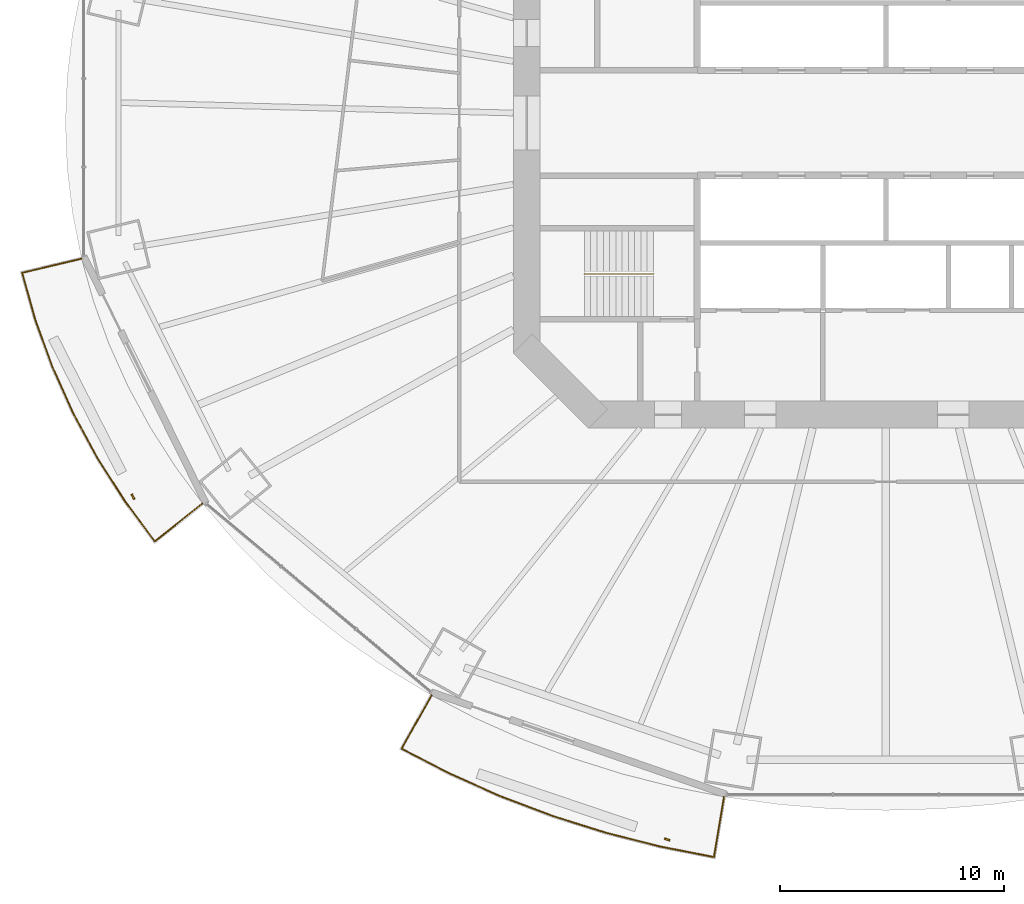
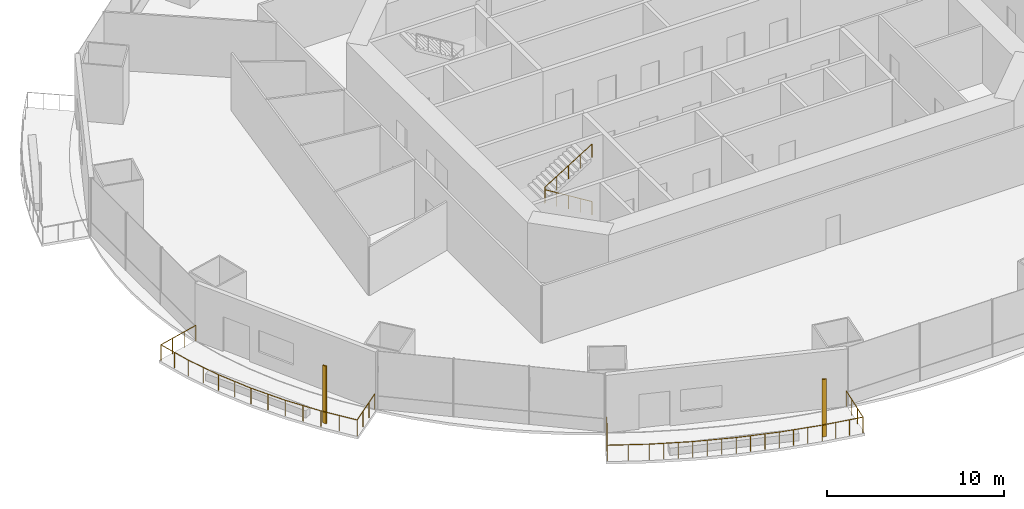
# One storey, part 18 of 23: 3 railings, 2 shading devices.
"""IFC4 building model written with IfcOpenShell, lengths in metres."""

import ifcopenshell
import ifcopenshell.guid

model = None  # the IFC model being written
_history = None  # IfcOwnerHistory: only IFC2X3 demands one
_inside = {}  # id of a spatial element -> (the spatial element, [elements in it])
_under = {}  # id of a project, library or spatial element -> (it, [spatial elements below it])
_declared = {}  # id of a project -> (the project, [libraries it declares])
_typed = {}  # id of a type object -> (the type object, [elements of that type])
_made_of = {}  # id of a material, layer set ... -> (it, [elements and type objects made of it])


def new_model(schema):
    """Start an empty IFC model of exactly this schema.

    Asked for "IFC4X3", IfcOpenShell would pick the latest addendum, in which some entities
    have other attributes; the version numbers below select the first issue.
    IFC2X3 requires an IfcOwnerHistory on every rooted entity: one is made here for all.
    """
    global model, _history
    if schema == "IFC4X3":
        model = ifcopenshell.file(schema_version=(4, 3, 0, 0))
    else:
        model = ifcopenshell.file(schema=schema)
    _inside.clear()
    _under.clear()
    _declared.clear()
    _typed.clear()
    _made_of.clear()
    _history = None
    if model.schema == "IFC2X3":
        org = make("IfcOrganization", Name="unknown")
        user = make(
            "IfcPersonAndOrganization",
            ThePerson=make("IfcPerson", FamilyName="unknown"),
            TheOrganization=org,
        )
        app = make(
            "IfcApplication",
            ApplicationDeveloper=org,
            Version="unknown",
            ApplicationFullName="unknown",
            ApplicationIdentifier="unknown",
        )
        _history = make(
            "IfcOwnerHistory",
            OwningUser=user,
            OwningApplication=app,
            ChangeAction="ADDED",
            CreationDate=0,
        )
    return model


def make(cls, **values):
    """One entity of the class cls with the attributes given. An attribute that is None is left unset."""
    return model.create_entity(
        cls, **{name: value for name, value in values.items() if value is not None}
    )


def rooted(cls, **values):
    """An entity with a GlobalId (a new one), such as an element, a storey or a relation."""
    return make(cls, GlobalId=ifcopenshell.guid.new(), OwnerHistory=_history, **values)


def si_unit(unit_type, name, prefix=None):
    """IfcSIUnit, for example si_unit("LENGTHUNIT", "METRE", prefix="MILLI")."""
    return make("IfcSIUnit", UnitType=unit_type, Prefix=prefix, Name=name)


def assignment(units):
    """IfcUnitAssignment: the units of a project."""
    return None if units is None else make("IfcUnitAssignment", Units=units)


def point(xyz):
    """IfcCartesianPoint."""
    return None if xyz is None else make("IfcCartesianPoint", Coordinates=xyz)


def direction(xyz):
    """IfcDirection."""
    return None if xyz is None else make("IfcDirection", DirectionRatios=xyz)


def frame(location, z_axis=None, x_axis=None):
    """IfcAxis2Placement3D, a coordinate frame: its origin and axes. An axis left out is left unset."""
    return make(
        "IfcAxis2Placement3D",
        Location=point(location),
        Axis=direction(z_axis),
        RefDirection=direction(x_axis),
    )


def frame_2d(location, x_axis=None):
    """IfcAxis2Placement2D, a coordinate frame in the plane: its origin and x axis."""
    return make(
        "IfcAxis2Placement2D", Location=point(location), RefDirection=direction(x_axis)
    )


def origin():
    """The frame at (0, 0, 0) with its axes left unset."""
    return frame((0.0, 0.0, 0.0))


def origin_2d():
    """The frame at (0, 0) in the plane with its x axis left unset."""
    return frame_2d((0.0, 0.0))


def place(relative_to, where):
    """IfcLocalPlacement: puts the frame where relative to a parent placement (None: the world)."""
    return make(
        "IfcLocalPlacement", PlacementRelTo=relative_to, RelativePlacement=where
    )


def context(
    kind, dimensions, precision=None, world=None, true_north=None, identifier=None
):
    """IfcGeometricRepresentationContext, for example the 3D "Model" context."""
    return make(
        "IfcGeometricRepresentationContext",
        ContextIdentifier=identifier,
        ContextType=kind,
        CoordinateSpaceDimension=dimensions,
        Precision=precision,
        WorldCoordinateSystem=world,
        TrueNorth=true_north,
    )


def subcontext(parent, identifier, kind, view, scale=None):
    """IfcGeometricRepresentationSubContext, for example "Body" below "Model"."""
    return make(
        "IfcGeometricRepresentationSubContext",
        ContextIdentifier=identifier,
        ContextType=kind,
        ParentContext=parent,
        TargetScale=scale,
        TargetView=view,
    )


def project(units=None, contexts=None):
    """IfcProject with its units and contexts."""
    return rooted(
        "IfcProject",
        Name="project",
        RepresentationContexts=contexts,
        UnitsInContext=assignment(units),
    )


def spatial(cls, under=None, at=None, **own):
    """A site, building, storey or space (cls), placed at a placement, below another one or the project."""
    s = rooted(cls, ObjectPlacement=at, **own)
    if under is not None:
        _under.setdefault(under.id(), (under, []))[1].append(s)
    return s


def profile(cls, at=None, kind="AREA", **sizes):
    """A parametric profile (cls). Its sizes go by their IFC names, for example OverallWidth=200.0."""
    return make(cls, ProfileType=kind, Position=at, **sizes)


def rectangle(**sizes):
    """IfcRectangleProfileDef."""
    return profile("IfcRectangleProfileDef", **sizes)


def circle(**sizes):
    """IfcCircleProfileDef."""
    return profile("IfcCircleProfileDef", **sizes)


def extrude(swept, where, along, depth):
    """IfcExtrudedAreaSolid: the profile swept, set in the frame where, extruded along a direction by depth."""
    return make(
        "IfcExtrudedAreaSolid",
        SweptArea=swept,
        Position=where,
        ExtrudedDirection=direction(along),
        Depth=depth,
    )


def shape(context_of_items, identifier, shape_type, items):
    """IfcShapeRepresentation: the items that make up one representation, for example the "Body"."""
    return make(
        "IfcShapeRepresentation",
        ContextOfItems=context_of_items,
        RepresentationIdentifier=identifier,
        RepresentationType=shape_type,
        Items=items,
    )


def material(Name=None, Category=None):
    """IfcMaterial."""
    return make("IfcMaterial", Name=Name, Category=Category)


def material_profile(
    of_material, cross_section, Name=None, Category=None, Priority=None
):
    """IfcMaterialProfile: a cross section and its material."""
    return make(
        "IfcMaterialProfile",
        Name=Name,
        Material=of_material,
        Profile=cross_section,
        Priority=Priority,
        Category=Category,
    )


def profile_set(profiles, Name=None, composite=None):
    """IfcMaterialProfileSet."""
    return make(
        "IfcMaterialProfileSet",
        Name=Name,
        MaterialProfiles=profiles,
        CompositeProfile=composite,
    )


def made_of(thing, what):
    """Note that an element or type object is made of a material, layer set ...; save() writes the relation."""
    if what is not None:
        _made_of.setdefault(what.id(), (what, []))[1].append(thing)
    return thing


def type_object(cls, material=None, **own):
    """A type object (cls), such as IfcWallType, which elements share."""
    return made_of(rooted(cls, **own), material)


def element(
    cls,
    number,
    at=None,
    inside=None,
    cuts=None,
    type_object=None,
    material=None,
    context=None,
    identifier="Body",
    shape_type=None,
    held_by="IfcProductDefinitionShape",
    body=None,
    shapes=None,
    **own,
):
    """One element of the class cls, such as IfcWall. Its Tag is "e" and its number.

    at: its placement. inside: the storey or other place that contains it. cuts: it is an
    opening in that element (IfcRelVoidsElement). A single representation is given by context,
    identifier, shape_type and body (its items); several are given by shapes. held_by: the class
    of the entity that holds the representations. save() writes the other relations.
    """
    e = rooted(cls, Tag="e%d" % number, ObjectPlacement=at, **own)
    if body is not None:
        shapes = [shape(context, identifier, shape_type, body)]
    if shapes is not None:
        e.Representation = make(held_by, Representations=shapes)
    if inside is not None:
        _inside.setdefault(inside.id(), (inside, []))[1].append(e)
    if cuts is not None:
        rooted(
            "IfcRelVoidsElement", RelatingBuildingElement=cuts, RelatedOpeningElement=e
        )
    if type_object is not None:
        _typed.setdefault(type_object.id(), (type_object, []))[1].append(e)
    return made_of(e, material)


def aggregate(whole, parts):
    """IfcRelAggregates: a whole, such as a stair, and the parts it consists of."""
    return rooted("IfcRelAggregates", RelatingObject=whole, RelatedObjects=parts)


def save(model, path):
    """Write the relations noted so far, then the file.

    IfcRelAggregates (storeys below a building ...), IfcRelContainedInSpatialStructure (elements
    in a storey), IfcRelDefinesByType, IfcRelAssociatesMaterial and IfcRelDeclares: one each for
    every whole, place, type object, material and project.
    """
    for whole, parts in _under.values():
        aggregate(whole, parts)
    for where, things in _inside.values():
        rooted(
            "IfcRelContainedInSpatialStructure",
            RelatedElements=things,
            RelatingStructure=where,
        )
    for kind, things in _typed.values():
        rooted("IfcRelDefinesByType", RelatedObjects=things, RelatingType=kind)
    for what, things in _made_of.values():
        rooted("IfcRelAssociatesMaterial", RelatedObjects=things, RelatingMaterial=what)
    for by, libraries in _declared.values():
        rooted("IfcRelDeclares", RelatingContext=by, RelatedDefinitions=libraries)
    model.write(path)


model = new_model("IFC4")

# Units and contexts
model_context = context("Model", 3, precision=1e-05, world=origin(), true_north=direction((0.0, 1.0)))
body_context = subcontext(model_context, "Body", "Model", "MODEL_VIEW")
ifc_project = project(units=[si_unit("LENGTHUNIT", "METRE"), si_unit("AREAUNIT", "SQUARE_METRE"), si_unit("VOLUMEUNIT", "CUBIC_METRE"), si_unit("PLANEANGLEUNIT", "RADIAN"), si_unit("MASSUNIT", "GRAM", prefix="KILO")], contexts=[model_context])

# Site, building, storey
site_placement = place(None, origin())
site = spatial("IfcSite", under=ifc_project, at=site_placement, CompositionType="ELEMENT")
building_placement = place(site_placement, origin())
building = spatial("IfcBuilding", under=site, at=building_placement, Name="Marenthal Gate Tower", CompositionType="ELEMENT")
storey_placement = place(building_placement, frame((0.0, 0.0, 53.75)))
storey = spatial("IfcBuildingStorey", under=building, at=storey_placement, Name="L09", CompositionType="ELEMENT", Elevation=53.75)

# Railings
ifc_material_1 = material(Name="Stainless steel", Category="steel")
railing_type_1 = type_object("IfcRailingType", Name="Balcony guard 1100", PredefinedType="GUARDRAIL", material=ifc_material_1)
railing_1_placement = place(storey_placement, frame((-30.44677734375, -16.957275390625, 0.0)))
element("IfcRailing", 1, at=railing_1_placement, inside=storey, type_object=railing_type_1, Name="Balcony guard L09 bay 9", PredefinedType="GUARDRAIL", context=body_context, shape_type="SweptSolid", body=[
    extrude(circle(Radius=0.02392578125, at=origin_2d()), frame((0.0, 0.0, 1.076171875), z_axis=(-0.782017214913, -0.623083029968, -0.014717790136), x_axis=(0.623150524983, -0.782101926358, 0.0)), (0.0, 0.0, 1.0), 2.720458984375),
    extrude(circle(Radius=0.02392578125, at=origin_2d()), frame((-2.12744140625, -1.695068359375, 1.0361328125), z_axis=(-0.594837345743, 0.803846087326, 0.0), x_axis=(-0.803846087326, -0.594837345743, 0.0)), (0.0, 0.0, 1.0), 2.22998046875),
    extrude(circle(Radius=0.02392578125, at=origin_2d()), frame((-3.453857421875, 0.097412109375, 1.0361328125), z_axis=(-0.537716445458, 0.843125746425, 0.0), x_axis=(-0.843125746425, -0.537716445458, 0.0)), (0.0, 0.0, 1.0), 2.291015625),
    extrude(circle(Radius=0.02392578125, at=origin_2d()), frame((-4.685791015625, 2.029052734375, 1.0361328125), z_axis=(-0.475629312141, 0.879645813628, 0.0), x_axis=(-0.879645813628, -0.475629312141, 0.0)), (0.0, 0.0, 1.0), 2.27392578125),
    extrude(circle(Radius=0.02392578125, at=origin_2d()), frame((-5.767333984375, 4.029296875, 1.0361328125), z_axis=(-0.409595910935, 0.912267060539, 0.0), x_axis=(-0.912267060539, -0.409595910935, 0.0)), (0.0, 0.0, 1.0), 2.258544921875),
    extrude(circle(Radius=0.02392578125, at=origin_2d()), frame((-6.6923828125, 6.089599609375, 1.0361328125), z_axis=(-0.340363176703, 0.940294053977, 0.0), x_axis=(-0.940294053977, -0.340363176703, 0.0)), (0.0, 0.0, 1.0), 2.2451171875),
    extrude(circle(Radius=0.02392578125, at=origin_2d()), frame((-7.45654296875, 8.20068359375, 1.0361328125), z_axis=(-0.269402906993, 0.963027556046, 0.0), x_axis=(-0.963027556046, -0.269402906993, 0.0)), (0.0, 0.0, 1.0), 2.154052734375),
    extrude(circle(Radius=0.02392578125, at=origin_2d()), frame((-8.036865234375, 10.275146484375, 1.0361328125), z_axis=(0.972906523904, 0.230729884047, 0.014717892254), x_axis=(-0.230754878041, 0.973011914758, 0.0)), (0.0, 0.0, 1.0), 2.720458984375),
    extrude(circle(Radius=0.02099609375, at=origin_2d()), origin(), (0.0, 0.0, 1.0), 1.052001953125),
    extrude(circle(Radius=0.02099609375, at=origin_2d()), frame((-0.709228515625, -0.56494140625, -0.013427734375)), (0.0, 0.0, 1.0), 1.052001953125),
    extrude(circle(Radius=0.02099609375, at=origin_2d()), frame((-1.418212890625, -1.130126953125, -0.026611328125)), (0.0, 0.0, 1.0), 1.052001953125),
    extrude(circle(Radius=0.02099609375, at=origin_2d()), frame((-2.12744140625, -1.695068359375, -0.0400390625)), (0.0, 0.0, 1.0), 1.052001953125),
    extrude(circle(Radius=0.02099609375, at=origin_2d()), frame((-2.79052734375, -0.798828125, -0.0400390625)), (0.0, 0.0, 1.0), 1.052001953125),
    extrude(circle(Radius=0.02099609375, at=origin_2d()), frame((-3.453857421875, 0.097412109375, -0.0400390625)), (0.0, 0.0, 1.0), 1.052001953125),
    extrude(circle(Radius=0.02099609375, at=origin_2d()), frame((-4.06982421875, 1.063232421875, -0.0400390625)), (0.0, 0.0, 1.0), 1.052001953125),
    extrude(circle(Radius=0.02099609375, at=origin_2d()), frame((-4.685791015625, 2.029052734375, -0.0400390625)), (0.0, 0.0, 1.0), 1.052001953125),
    extrude(circle(Radius=0.02099609375, at=origin_2d()), frame((-5.2265625, 3.029296875, -0.0400390625)), (0.0, 0.0, 1.0), 1.052001953125),
    extrude(circle(Radius=0.02099609375, at=origin_2d()), frame((-5.767333984375, 4.029296875, -0.0400390625)), (0.0, 0.0, 1.0), 1.052001953125),
    extrude(circle(Radius=0.02099609375, at=origin_2d()), frame((-6.22998046875, 5.0595703125, -0.0400390625)), (0.0, 0.0, 1.0), 1.052001953125),
    extrude(circle(Radius=0.02099609375, at=origin_2d()), frame((-6.6923828125, 6.089599609375, -0.0400390625)), (0.0, 0.0, 1.0), 1.052001953125),
    extrude(circle(Radius=0.02099609375, at=origin_2d()), frame((-7.074462890625, 7.14501953125, -0.0400390625)), (0.0, 0.0, 1.0), 1.052001953125),
    extrude(circle(Radius=0.02099609375, at=origin_2d()), frame((-7.45654296875, 8.20068359375, -0.0400390625)), (0.0, 0.0, 1.0), 1.052001953125),
    extrude(circle(Radius=0.02099609375, at=origin_2d()), frame((-7.74658203125, 9.23779296875, -0.0400390625)), (0.0, 0.0, 1.0), 1.052001953125),
    extrude(circle(Radius=0.02099609375, at=origin_2d()), frame((-8.036865234375, 10.275146484375, -0.0400390625)), (0.0, 0.0, 1.0), 1.052001953125),
    extrude(circle(Radius=0.02099609375, at=origin_2d()), frame((-7.154541015625, 10.484375, -0.026611328125)), (0.0, 0.0, 1.0), 1.052001953125),
    extrude(circle(Radius=0.02099609375, at=origin_2d()), frame((-6.2724609375, 10.693603515625, -0.013427734375)), (0.0, 0.0, 1.0), 1.052001953125),
    extrude(circle(Radius=0.02099609375, at=origin_2d()), frame((-5.39013671875, 10.90283203125, 0.0)), (0.0, 0.0, 1.0), 1.052001953125),
])
railing_2_placement = place(storey_placement, frame((-7.2109375, -30.033203125, 0.0)))
element("IfcRailing", 2, at=railing_2_placement, inside=storey, type_object=railing_type_1, Name="Balcony guard L09 bay 11", PredefinedType="GUARDRAIL", context=body_context, shape_type="SweptSolid", body=[
    extrude(circle(Radius=0.02392578125, at=origin_2d()), frame((0.0, 0.0, 1.076171875), z_axis=(-0.164512163182, -0.986265227064, -0.014719036968), x_axis=(0.986372081632, -0.164529986862, 0.0)), (0.0, 0.0, 1.0), 2.72021484375),
    extrude(circle(Radius=0.02392578125, at=origin_2d()), frame((-0.447509765625, -2.682861328125, 1.0361328125), z_axis=(-0.981261967917, 0.19267835976, 0.0), x_axis=(-0.19267835976, -0.981261967917, 0.0)), (0.0, 0.0, 1.0), 2.445556640625),
    extrude(circle(Radius=0.02392578125, at=origin_2d()), frame((-2.84716796875, -2.211669921875, 1.0361328125), z_axis=(-0.969181494284, 0.246347784927, 0.0), x_axis=(-0.246347784927, -0.969181494284, 0.0)), (0.0, 0.0, 1.0), 2.515380859375),
    extrude(circle(Radius=0.02392578125, at=origin_2d()), frame((-5.284912109375, -1.592041015625, 1.0361328125), z_axis=(-0.953671084495, 0.30085123001, 0.0), x_axis=(-0.30085123001, -0.953671084495, 0.0)), (0.0, 0.0, 1.0), 2.502685546875),
    extrude(circle(Radius=0.02392578125, at=origin_2d()), frame((-7.671630859375, -0.839111328125, 1.0361328125), z_axis=(-0.934902124895, 0.354905645019, 0.0), x_axis=(-0.354905645019, -0.934902124895, 0.0)), (0.0, 0.0, 1.0), 2.488037109375),
    extrude(circle(Radius=0.02392578125, at=origin_2d()), frame((-9.997802734375, 0.0439453125, 1.0361328125), z_axis=(-0.912605925031, 0.408840342429, 0.0), x_axis=(-0.408840342429, -0.912605925031, 0.0)), (0.0, 0.0, 1.0), 2.4716796875),
    extrude(circle(Radius=0.02392578125, at=origin_2d()), frame((-12.25341796875, 1.054443359375, 1.0361328125), z_axis=(-0.887280789471, 0.461229661487, 0.0), x_axis=(-0.461229661487, -0.887280789471, 0.0)), (0.0, 0.0, 1.0), 2.37353515625),
    extrude(circle(Radius=0.02392578125, at=origin_2d()), frame((-14.359375, 2.149169921875, 1.0361328125), z_axis=(0.488779989422, 0.872282908041, 0.014719044852), x_axis=(-0.872377413566, 0.488832945188, 0.0)), (0.0, 0.0, 1.0), 2.72021484375),
    extrude(circle(Radius=0.02099609375, at=origin_2d()), origin(), (0.0, 0.0, 1.0), 1.052001953125),
    extrude(circle(Radius=0.02099609375, at=origin_2d()), frame((-0.149169921875, -0.894287109375, -0.013427734375)), (0.0, 0.0, 1.0), 1.052001953125),
    extrude(circle(Radius=0.02099609375, at=origin_2d()), frame((-0.29833984375, -1.78857421875, -0.026611328125)), (0.0, 0.0, 1.0), 1.052001953125),
    extrude(circle(Radius=0.02099609375, at=origin_2d()), frame((-0.447509765625, -2.682861328125, -0.0400390625)), (0.0, 0.0, 1.0), 1.052001953125),
    extrude(circle(Radius=0.02099609375, at=origin_2d()), frame((-1.247314453125, -2.52587890625, -0.0400390625)), (0.0, 0.0, 1.0), 1.052001953125),
    extrude(circle(Radius=0.02099609375, at=origin_2d()), frame((-2.04736328125, -2.36865234375, -0.0400390625)), (0.0, 0.0, 1.0), 1.052001953125),
    extrude(circle(Radius=0.02099609375, at=origin_2d()), frame((-2.84716796875, -2.211669921875, -0.0400390625)), (0.0, 0.0, 1.0), 1.052001953125),
    extrude(circle(Radius=0.02099609375, at=origin_2d()), frame((-3.65966796875, -2.005126953125, -0.0400390625)), (0.0, 0.0, 1.0), 1.052001953125),
    extrude(circle(Radius=0.02099609375, at=origin_2d()), frame((-4.472412109375, -1.798583984375, -0.0400390625)), (0.0, 0.0, 1.0), 1.052001953125),
    extrude(circle(Radius=0.02099609375, at=origin_2d()), frame((-5.284912109375, -1.592041015625, -0.0400390625)), (0.0, 0.0, 1.0), 1.052001953125),
    extrude(circle(Radius=0.02099609375, at=origin_2d()), frame((-6.08056640625, -1.341064453125, -0.0400390625)), (0.0, 0.0, 1.0), 1.052001953125),
    extrude(circle(Radius=0.02099609375, at=origin_2d()), frame((-6.8759765625, -1.090087890625, -0.0400390625)), (0.0, 0.0, 1.0), 1.052001953125),
    extrude(circle(Radius=0.02099609375, at=origin_2d()), frame((-7.671630859375, -0.839111328125, -0.0400390625)), (0.0, 0.0, 1.0), 1.052001953125),
    extrude(circle(Radius=0.02099609375, at=origin_2d()), frame((-8.447021484375, -0.544677734375, -0.0400390625)), (0.0, 0.0, 1.0), 1.052001953125),
    extrude(circle(Radius=0.02099609375, at=origin_2d()), frame((-9.222412109375, -0.25048828125, -0.0400390625)), (0.0, 0.0, 1.0), 1.052001953125),
    extrude(circle(Radius=0.02099609375, at=origin_2d()), frame((-9.997802734375, 0.0439453125, -0.0400390625)), (0.0, 0.0, 1.0), 1.052001953125),
    extrude(circle(Radius=0.02099609375, at=origin_2d()), frame((-10.749755859375, 0.380859375, -0.0400390625)), (0.0, 0.0, 1.0), 1.052001953125),
    extrude(circle(Radius=0.02099609375, at=origin_2d()), frame((-11.50146484375, 0.717529296875, -0.0400390625)), (0.0, 0.0, 1.0), 1.052001953125),
    extrude(circle(Radius=0.02099609375, at=origin_2d()), frame((-12.25341796875, 1.054443359375, -0.0400390625)), (0.0, 0.0, 1.0), 1.052001953125),
    extrude(circle(Radius=0.02099609375, at=origin_2d()), frame((-13.306396484375, 1.601806640625, -0.0400390625)), (0.0, 0.0, 1.0), 1.052001953125),
    extrude(circle(Radius=0.02099609375, at=origin_2d()), frame((-14.359375, 2.149169921875, -0.0400390625)), (0.0, 0.0, 1.0), 1.052001953125),
    extrude(circle(Radius=0.02099609375, at=origin_2d()), frame((-13.916259765625, 2.940185546875, -0.026611328125)), (0.0, 0.0, 1.0), 1.052001953125),
    extrude(circle(Radius=0.02099609375, at=origin_2d()), frame((-13.472900390625, 3.73095703125, -0.013427734375)), (0.0, 0.0, 1.0), 1.052001953125),
    extrude(circle(Radius=0.02099609375, at=origin_2d()), frame((-13.02978515625, 4.52197265625, 0.0)), (0.0, 0.0, 1.0), 1.052001953125),
])
ifc_material_2 = material(Name="Stainless steel", Category="steel")
railing_type_2 = type_object("IfcRailingType", Name="Stair handrail", PredefinedType="HANDRAIL", material=ifc_material_2)
railing_3_placement = place(storey_placement, frame((-10.35009765625, -6.72509765625, 0.1728515625)))
element("IfcRailing", 3, at=railing_3_placement, inside=storey, type_object=railing_type_2, Name="Handrail ST2", PredefinedType="HANDRAIL", context=body_context, shape_type="SweptSolid", body=[
    extrude(circle(Radius=0.0224609375, at=origin_2d()), frame((0.0, 0.0, 0.927490234375), z_axis=(-0.850816621229, 0.0, 0.525462726595), x_axis=(0.0, -1.0, 0.0)), (0.0, 0.0, 1.0), 3.619873046875),
    extrude(circle(Radius=0.0224609375, at=origin_2d()), frame((-3.079833984375, 0.0, 2.82958984375), z_axis=(0.0, 0.0, 1.0), x_axis=(1.0, 0.0, 0.0)), (0.0, 0.0, 1.0), 0.1728515625),
    extrude(circle(Radius=0.0224609375, at=origin_2d()), frame((-3.079833984375, 0.0, 3.00244140625), z_axis=(0.850816621229, 0.0, 0.525462726595), x_axis=(0.0, 1.0, 0.0)), (0.0, 0.0, 1.0), 3.619873046875),
    extrude(circle(Radius=0.02001953125, at=origin_2d()), origin(), (0.0, 0.0, 1.0), 0.905029296875),
    extrude(circle(Radius=0.02001953125, at=origin_2d()), frame((-0.77001953125, 0.0, 0.4755859375)), (0.0, 0.0, 1.0), 0.905029296875),
    extrude(circle(Radius=0.02001953125, at=origin_2d()), frame((-1.5400390625, 0.0, 0.951171875)), (0.0, 0.0, 1.0), 0.905029296875),
    extrude(circle(Radius=0.02001953125, at=origin_2d()), frame((-2.309814453125, 0.0, 1.426513671875)), (0.0, 0.0, 1.0), 0.905029296875),
    extrude(circle(Radius=0.02001953125, at=origin_2d()), frame((-3.079833984375, 0.0, 1.902099609375)), (0.0, 0.0, 1.0), 0.905029296875),
    extrude(circle(Radius=0.02001953125, at=origin_2d()), frame((-3.079833984375, 0.0, 2.074951171875)), (0.0, 0.0, 1.0), 0.905029296875),
    extrude(circle(Radius=0.02001953125, at=origin_2d()), frame((-2.309814453125, 0.0, 2.550537109375)), (0.0, 0.0, 1.0), 0.905029296875),
    extrude(circle(Radius=0.02001953125, at=origin_2d()), frame((-1.5400390625, 0.0, 3.02587890625)), (0.0, 0.0, 1.0), 0.905029296875),
    extrude(circle(Radius=0.02001953125, at=origin_2d()), frame((-0.77001953125, 0.0, 3.50146484375)), (0.0, 0.0, 1.0), 0.905029296875),
    extrude(circle(Radius=0.02001953125, at=origin_2d()), frame((0.0, 0.0, 3.97705078125)), (0.0, 0.0, 1.0), 0.905029296875),
])

# Shading devices
ifc_material_3 = material(Name="Terracotta", Category="masonry")
ifc_material_profile = material_profile(ifc_material_3, rectangle(XDim=0.25, YDim=0.080078125, at=origin_2d()), Name="Terracotta baguette 250x80")
ifc_profile_set = profile_set([ifc_material_profile], Name="Terracotta")
shading_device_type = type_object("IfcShadingDeviceType", Name="Terracotta BAGUETTE SCREEN 250x80", PredefinedType="USERDEFINED", material=ifc_profile_set)
for number, where, z_axis, x_axis, name in (
    (4, (-33.545654296875, -16.658935546875, -0.0400390625), (0.0, 0.0, 1.0), (0.44305812807, -0.89649288628, 0.0), "Terracotta BAGUETTE L09 bay 9R"),
    (5, (-9.740234375, -31.9326171875, -0.0400390625), (0.0, 0.0, 1.0), (0.944690686162, -0.327962661713, 0.0), "Terracotta BAGUETTE L09 bay 11R"),
):
    element("IfcShadingDevice", number, at=place(storey_placement, frame(where, z_axis=z_axis, x_axis=x_axis)), inside=storey, type_object=shading_device_type, Name=name, ObjectType="BAGUETTE SCREEN", PredefinedType="USERDEFINED", context=body_context, shape_type="SweptSolid", body=[
        extrude(rectangle(XDim=0.25, YDim=0.080078125, at=origin_2d()), origin(), (0.0, 0.0, 1.0), 3.969970703125),
    ])

save(model, "model.ifc")
